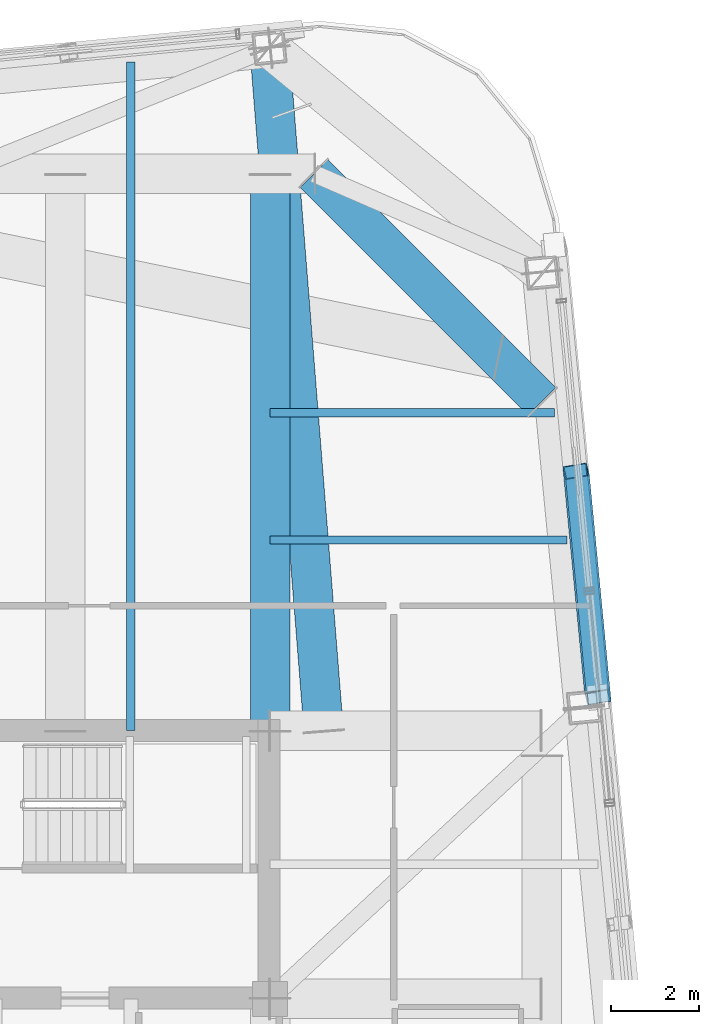
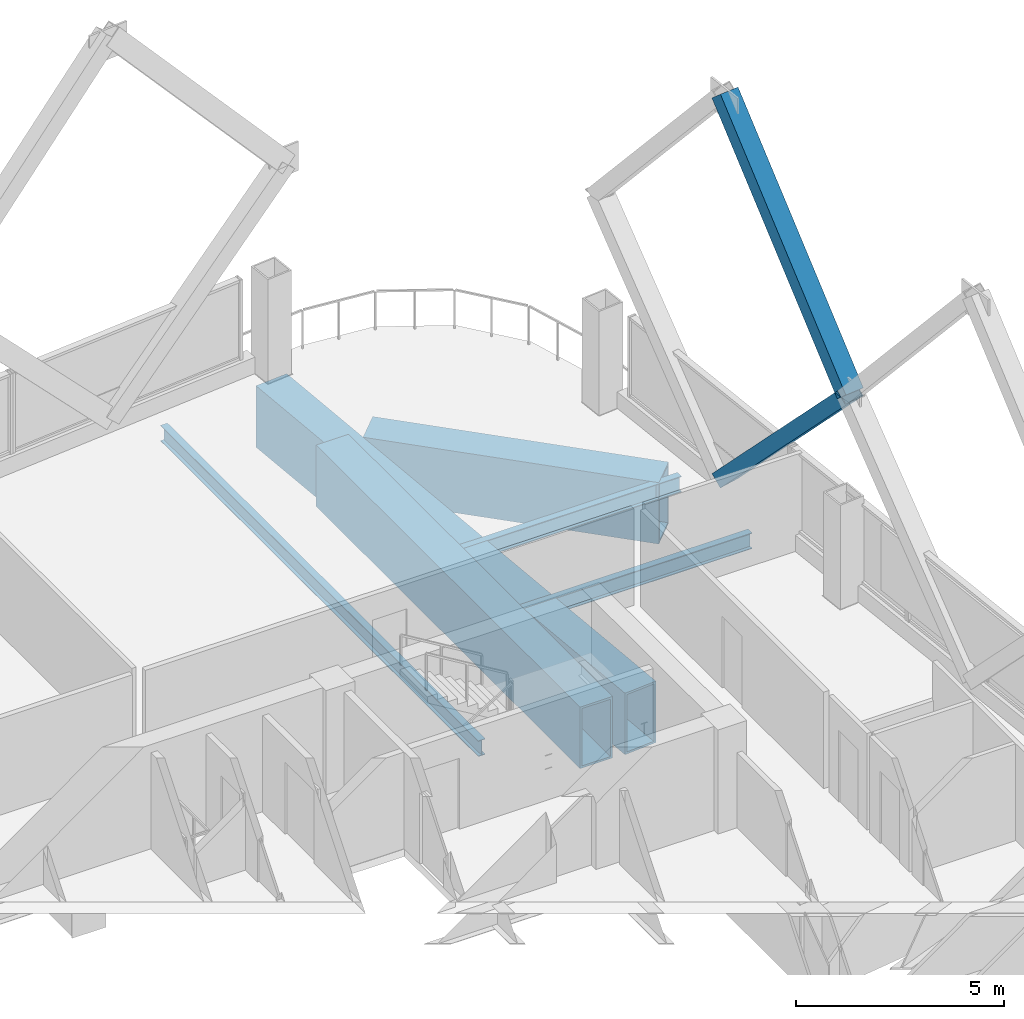
# One storey, part 26 of 37: 6 beams, 2 members.
"""IFC4 building model written with IfcOpenShell, lengths in metres."""

from ifc_helpers import new_model, si_unit, direction, frame, origin, origin_2d, place, context, subcontext, project, spatial, hollow_rectangle, i_section, extrude, material, material_profile, profile_set, type_object, element, save


model = new_model("IFC4")

# Units and contexts
model_context = context("Model", 3, precision=1e-05, world=origin(), true_north=direction((0.0, 1.0)))
body_context = subcontext(model_context, "Body", "Model", "MODEL_VIEW")
ifc_project = project(units=[si_unit("LENGTHUNIT", "METRE"), si_unit("AREAUNIT", "SQUARE_METRE"), si_unit("VOLUMEUNIT", "CUBIC_METRE"), si_unit("PLANEANGLEUNIT", "RADIAN"), si_unit("MASSUNIT", "GRAM", prefix="KILO")], contexts=[model_context])

# Site, building, storey
site_placement = place(None, origin())
site = spatial("IfcSite", under=ifc_project, at=site_placement, CompositionType="ELEMENT")
building_placement = place(site_placement, origin())
building = spatial("IfcBuilding", under=site, at=building_placement, Name="Qhalaya Broadcast Tower", CompositionType="ELEMENT")
storey_placement = place(building_placement, frame((0.0, 0.0, 156.14990234375)))
storey = spatial("IfcBuildingStorey", under=building, at=storey_placement, Name="L45", CompositionType="ELEMENT", Elevation=156.14990234375)

# Beams
ifc_material_1 = material(Name="Structural Steel ASTM A572 Grade 50", Category="steel")
ifc_material_profile_1 = material_profile(ifc_material_1, hollow_rectangle(XDim=0.89990234375, YDim=1.800048828125, WallThickness=0.06005859375, at=origin_2d()), Name="BOX 900x1800x60")
ifc_profile_set_1 = profile_set([ifc_material_profile_1], Name="Structural Steel ASTM A572 Grade 50")
beam_type_1 = type_object("IfcBeamType", Name="Block Cantilever Transfer Box Girder TG1", PredefinedType="USERDEFINED", material=ifc_profile_set_1)
beam_1_placement = place(storey_placement, frame((15.580078125, 17.4599609375, -1.119873046875), z_axis=(-0.707123380132, 0.707090181851, 0.0), x_axis=(-0.707090181851, -0.707123380132, 0.0)))
element("IfcBeam", 1, at=beam_1_placement, inside=storey, type_object=beam_type_1, Name="L45 TG1 L45-TGL-08", ObjectType="GIRDER", PredefinedType="USERDEFINED", context=body_context, shape_type="SweptSolid", body=[
    extrude(hollow_rectangle(XDim=0.89990234375, YDim=1.800048828125, WallThickness=0.06005859375, at=origin_2d()), origin(), (0.0, 0.0, 1.0), 7.35400390625),
])
beam_2_placement = place(storey_placement, frame((9.375, 9.949951171875, -1.119873046875), z_axis=(0.0, 1.0, 0.0), x_axis=(-1.0, 0.0, 0.0)))
element("IfcBeam", 2, at=beam_2_placement, inside=storey, type_object=beam_type_1, Name="L45 TG1 L45-TGINE-1", ObjectType="GIRDER", PredefinedType="USERDEFINED", context=body_context, shape_type="SweptSolid", body=[
    extrude(hollow_rectangle(XDim=0.89990234375, YDim=1.800048828125, WallThickness=0.06005859375, at=origin_2d()), origin(), (0.0, 0.0, 1.0), 12.670166015625),
])
beam_3_placement = place(storey_placement, frame((10.599365234375, 9.949951171875, -1.119873046875), z_axis=(-0.079177662622, 0.996860520706, 0.0), x_axis=(-0.996860520706, -0.079177662622, 0.0)))
element("IfcBeam", 3, at=beam_3_placement, inside=storey, type_object=beam_type_1, Name="L45 Continuous Cantilever Transfer Box Girder 09", ObjectType="GIRDER", PredefinedType="USERDEFINED", context=body_context, shape_type="SweptSolid", body=[
    extrude(hollow_rectangle(XDim=0.89990234375, YDim=1.800048828125, WallThickness=0.06005859375, at=origin_2d()), origin(), (0.0, 0.0, 1.0), 15.626953125),
])
ifc_material_2 = material(Name="Structural Steel ASTM A992 Grade 50", Category="steel")
ifc_material_profile_2 = material_profile(ifc_material_2, i_section(OverallWidth=0.19189453125, OverallDepth=0.462890625, WebThickness=0.010498046875, FlangeThickness=0.017578125, at=origin_2d()), Name="W18X60")
ifc_profile_set_2 = profile_set([ifc_material_profile_2], Name="Structural Steel ASTM A992 Grade 50")
beam_type_2 = type_object("IfcBeamType", Name="Composite Floor Joist J03", PredefinedType="JOIST", material=ifc_profile_set_2)
beam_4_placement = place(storey_placement, frame((6.199951171875, 9.949951171875, -0.451416015625), z_axis=(0.0, 1.0, 0.0), x_axis=(-1.0, 0.0, 0.0)))
element("IfcBeam", 4, at=beam_4_placement, inside=storey, type_object=beam_type_2, Name="L45 J03 L45-JNN5-1", PredefinedType="JOIST", context=body_context, shape_type="SweptSolid", body=[
    extrude(i_section(OverallWidth=0.19189453125, OverallDepth=0.462890625, WebThickness=0.010498046875, FlangeThickness=0.017578125, at=origin_2d()), origin(), (0.0, 0.0, 1.0), 15.25341796875),
])
beam_5_placement = place(storey_placement, frame((9.375, 14.300048828125, -0.451416015625), z_axis=(1.0, 0.0, 0.0), x_axis=(0.0, 1.0, 0.0)))
element("IfcBeam", 5, at=beam_5_placement, inside=storey, type_object=beam_type_2, Name="L45 J03 L45-JWE6E-1", PredefinedType="JOIST", context=body_context, shape_type="SweptSolid", body=[
    extrude(i_section(OverallWidth=0.19189453125, OverallDepth=0.462890625, WebThickness=0.010498046875, FlangeThickness=0.017578125, at=origin_2d()), origin(), (0.0, 0.0, 1.0), 6.7744140625),
])
beam_6_placement = place(storey_placement, frame((9.375, 17.199951171875, -0.451416015625), z_axis=(1.0, 0.0, 0.0), x_axis=(0.0, 1.0, 0.0)))
element("IfcBeam", 6, at=beam_6_placement, inside=storey, type_object=beam_type_2, Name="L45 J03 L45-JWE7E-1", PredefinedType="JOIST", context=body_context, shape_type="SweptSolid", body=[
    extrude(i_section(OverallWidth=0.19189453125, OverallDepth=0.462890625, WebThickness=0.010498046875, FlangeThickness=0.017578125, at=origin_2d()), origin(), (0.0, 0.0, 1.0), 6.4951171875),
])

# Members
ifc_material_profile_3 = material_profile(ifc_material_1, hollow_rectangle(XDim=0.39990234375, YDim=0.550048828125, WallThickness=0.02490234375, at=origin_2d()), Name="BOX 400x550x25")
ifc_profile_set_3 = profile_set([ifc_material_profile_3], Name="Structural Steel ASTM A572 Grade 50")
member_type = type_object("IfcMemberType", Name="Exoskeleton Diamond Diagonal Mid-High EX3", PredefinedType="BRACE", material=ifc_profile_set_3)
member_1_placement = place(storey_placement, frame((16.35986328125, 15.87060546875, 0.360107421875), z_axis=(0.066504325889, -0.690631901239, 0.720142174594), x_axis=(-0.164113379892, 0.704339295697, 0.690632286443)))
element("IfcMember", 7, at=member_1_placement, inside=storey, type_object=member_type, Name="B4 Exoskeleton Diamond Brace E3-D1", PredefinedType="BRACE", context=body_context, shape_type="SweptSolid", body=[
    extrude(hollow_rectangle(XDim=0.39990234375, YDim=0.550048828125, WallThickness=0.02490234375, at=origin_2d()), origin(), (0.0, 0.0, 1.0), 7.470703125),
])
member_2_placement = place(storey_placement, frame((16.856689453125, 10.711181640625, 5.739990234375), z_axis=(-0.06350423358, 0.659476642868, 0.749037896123), x_axis=(0.166870327526, -0.732969553362, 0.659477010695)))
element("IfcMember", 8, at=member_2_placement, inside=storey, type_object=member_type, Name="B4 Exoskeleton Diamond Brace E3-D3", PredefinedType="BRACE", context=body_context, shape_type="SweptSolid", body=[
    extrude(hollow_rectangle(XDim=0.39990234375, YDim=0.550048828125, WallThickness=0.02490234375, at=origin_2d()), origin(), (0.0, 0.0, 1.0), 7.823486328125),
])

save(model, "model.ifc")
